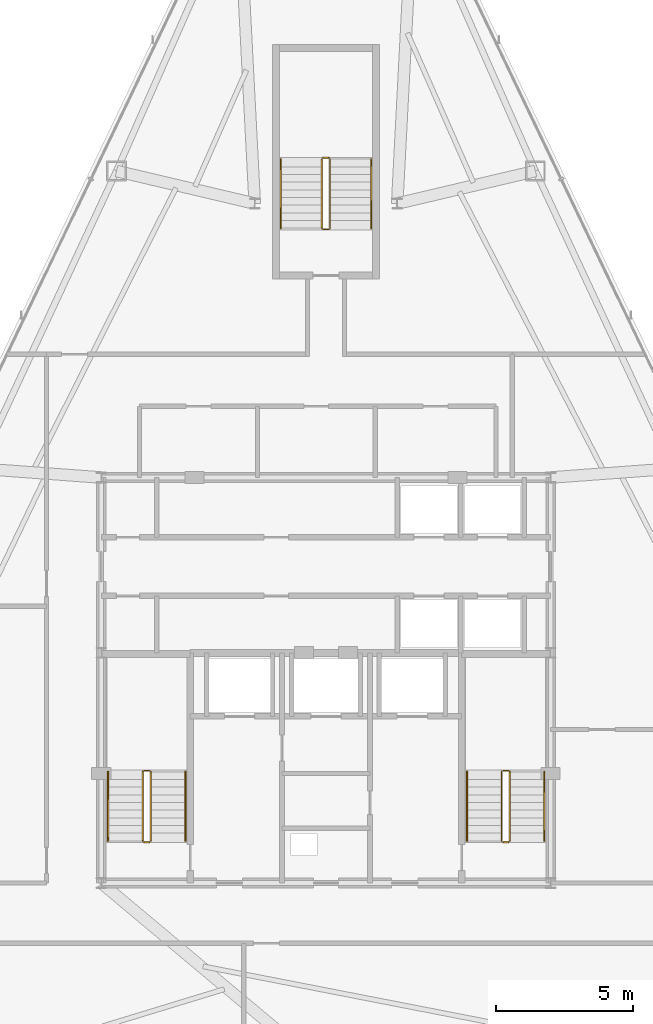
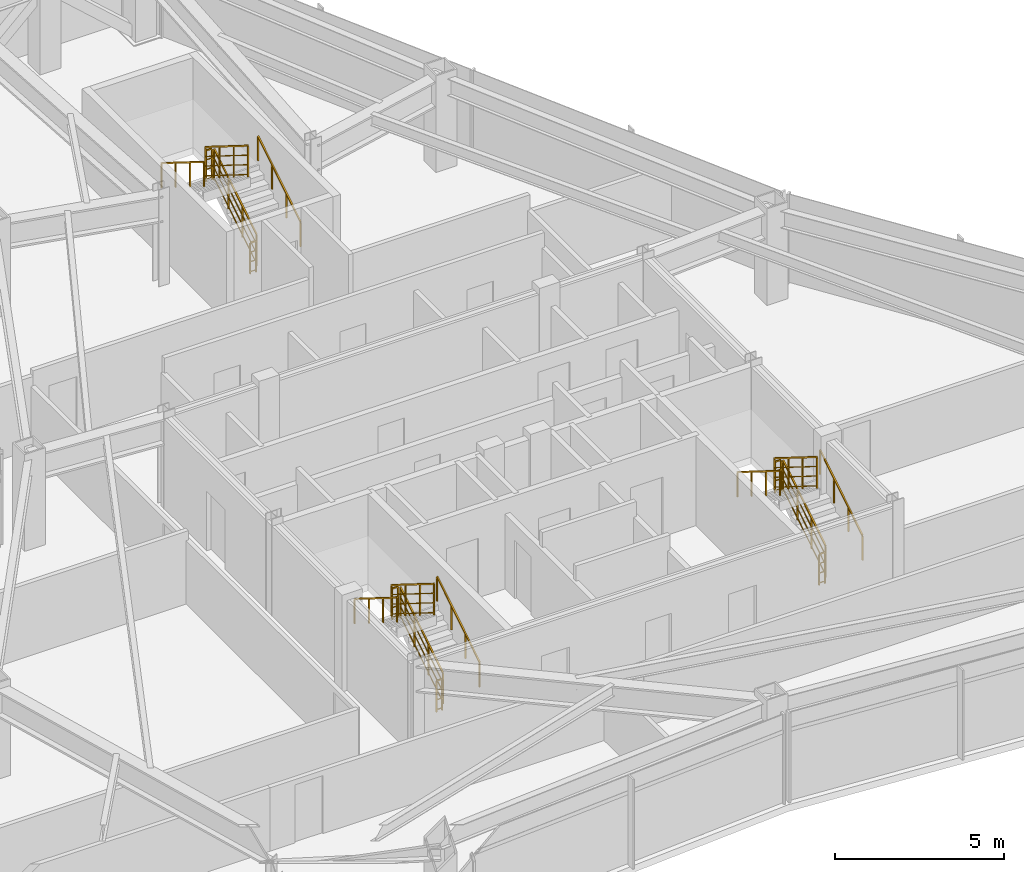
# One storey, part 12 of 12: 18 railings.
"""IFC4 building model written with IfcOpenShell, lengths in metres."""

from ifc_helpers import new_model, si_unit, direction, frame, origin, origin_2d, place, context, subcontext, project, spatial, rectangle, extrude, material, type_object, element, save


model = new_model("IFC4")

# Units and contexts
model_context = context("Model", 3, precision=1e-05, world=origin(), true_north=direction((0.0, 1.0)))
body_context = subcontext(model_context, "Body", "Model", "MODEL_VIEW")
ifc_project = project(units=[si_unit("LENGTHUNIT", "METRE"), si_unit("AREAUNIT", "SQUARE_METRE"), si_unit("VOLUMEUNIT", "CUBIC_METRE"), si_unit("PLANEANGLEUNIT", "RADIAN"), si_unit("MASSUNIT", "GRAM", prefix="KILO")], contexts=[model_context])

# Site, building, storey
site_placement = place(None, origin())
site = spatial("IfcSite", under=ifc_project, at=site_placement, CompositionType="ELEMENT")
building_placement = place(site_placement, origin())
building = spatial("IfcBuilding", under=site, at=building_placement, Name="Varakhsha Concourse Tower", CompositionType="ELEMENT")
storey_placement = place(building_placement, frame((0.0, 0.0, 218.89990234375)))
storey = spatial("IfcBuildingStorey", under=building, at=storey_placement, Name="L62", CompositionType="ELEMENT", Elevation=218.89990234375)

# Railings
ifc_material = material(Name="Brushed Austenitic Stainless Steel AISI 316", Category="steel")
railing_type_1 = type_object("IfcRailingType", Name="RL-STAIR-GUARD-1100", PredefinedType="GUARDRAIL", material=ifc_material)
railing_1_placement = place(storey_placement, frame((33.610107421875, 17.93994140625, 0.175048828125)))
element("IfcRailing", 1, at=railing_1_placement, inside=storey, type_object=railing_type_1, Name="L62 ST1 stair guard 1", PredefinedType="GUARDRAIL", context=body_context, shape_type="SweptSolid", body=[
    extrude(rectangle(XDim=0.048095703125, YDim=0.048095703125, at=origin_2d()), frame((0.0, 0.0, 1.1259765625), z_axis=(0.0, 0.848007534815, 0.529984170421), x_axis=(-1.0, 0.0, 0.0)), (0.0, 0.0, 1.0), 2.9716796875),
    extrude(rectangle(XDim=0.028076171875, YDim=0.028076171875, at=origin_2d()), frame((0.0, 0.0, 0.080078125), z_axis=(0.0, 0.848007534815, 0.529984170421), x_axis=(-1.0, 0.0, 0.0)), (0.0, 0.0, 1.0), 2.9716796875),
    extrude(rectangle(XDim=0.028076171875, YDim=0.028076171875, at=origin_2d()), frame((0.0, 0.0, 0.43701171875), z_axis=(0.0, 0.848007534815, 0.529984170421), x_axis=(-1.0, 0.0, 0.0)), (0.0, 0.0, 1.0), 2.9716796875),
    extrude(rectangle(XDim=0.028076171875, YDim=0.028076171875, at=origin_2d()), frame((0.0, 0.0, 0.781982421875), z_axis=(0.0, 0.848007534815, 0.529984170421), x_axis=(-1.0, 0.0, 0.0)), (0.0, 0.0, 1.0), 2.9716796875),
    extrude(rectangle(XDim=0.0419921875, YDim=0.0419921875, at=origin_2d()), origin(), (0.0, 0.0, 1.0), 1.101806640625),
    extrude(rectangle(XDim=0.0419921875, YDim=0.0419921875, at=origin_2d()), frame((0.0, 0.840087890625, 0.52490234375)), (0.0, 0.0, 1.0), 1.101806640625),
    extrude(rectangle(XDim=0.0419921875, YDim=0.0419921875, at=origin_2d()), frame((0.0, 1.679931640625, 1.050048828125)), (0.0, 0.0, 1.0), 1.101806640625),
    extrude(rectangle(XDim=0.0419921875, YDim=0.0419921875, at=origin_2d()), frame((0.0, 2.52001953125, 1.574951171875)), (0.0, 0.0, 1.0), 1.101806640625),
])
railing_2_placement = place(storey_placement, frame((33.56005859375, 20.510009765625, 1.75)))
element("IfcRailing", 2, at=railing_2_placement, inside=storey, type_object=railing_type_1, Name="L62 ST1 stair guard 2", PredefinedType="GUARDRAIL", context=body_context, shape_type="SweptSolid", body=[
    extrude(rectangle(XDim=0.048095703125, YDim=0.048095703125, at=origin_2d()), frame((0.0, 0.0, 1.1259765625), z_axis=(-1.0, 0.0, 0.0), x_axis=(0.0, -1.0, 0.0)), (0.0, 0.0, 1.0), 0.199951171875),
    extrude(rectangle(XDim=0.028076171875, YDim=0.028076171875, at=origin_2d()), frame((0.0, 0.0, 0.080078125), z_axis=(-1.0, 0.0, 0.0), x_axis=(0.0, -1.0, 0.0)), (0.0, 0.0, 1.0), 0.199951171875),
    extrude(rectangle(XDim=0.028076171875, YDim=0.028076171875, at=origin_2d()), frame((0.0, 0.0, 0.43701171875), z_axis=(-1.0, 0.0, 0.0), x_axis=(0.0, -1.0, 0.0)), (0.0, 0.0, 1.0), 0.199951171875),
    extrude(rectangle(XDim=0.028076171875, YDim=0.028076171875, at=origin_2d()), frame((0.0, 0.0, 0.781982421875), z_axis=(-1.0, 0.0, 0.0), x_axis=(0.0, -1.0, 0.0)), (0.0, 0.0, 1.0), 0.199951171875),
    extrude(rectangle(XDim=0.0419921875, YDim=0.0419921875, at=origin_2d()), origin(), (0.0, 0.0, 1.0), 1.101806640625),
    extrude(rectangle(XDim=0.0419921875, YDim=0.0419921875, at=origin_2d()), frame((-0.199951171875, 0.0, 0.0)), (0.0, 0.0, 1.0), 1.101806640625),
])
railing_3_placement = place(storey_placement, frame((33.31005859375, 20.4599609375, 1.925048828125)))
element("IfcRailing", 3, at=railing_3_placement, inside=storey, type_object=railing_type_1, Name="L62 ST1 stair guard 3", PredefinedType="GUARDRAIL", context=body_context, shape_type="SweptSolid", body=[
    extrude(rectangle(XDim=0.048095703125, YDim=0.048095703125, at=origin_2d()), frame((0.0, 0.0, 1.1259765625), z_axis=(0.0, -0.848007534815, 0.529984170421), x_axis=(1.0, 0.0, 0.0)), (0.0, 0.0, 1.0), 2.9716796875),
    extrude(rectangle(XDim=0.028076171875, YDim=0.028076171875, at=origin_2d()), frame((0.0, 0.0, 0.080078125), z_axis=(0.0, -0.848007534815, 0.529984170421), x_axis=(1.0, 0.0, 0.0)), (0.0, 0.0, 1.0), 2.9716796875),
    extrude(rectangle(XDim=0.028076171875, YDim=0.028076171875, at=origin_2d()), frame((0.0, 0.0, 0.43701171875), z_axis=(0.0, -0.848007534815, 0.529984170421), x_axis=(1.0, 0.0, 0.0)), (0.0, 0.0, 1.0), 2.9716796875),
    extrude(rectangle(XDim=0.028076171875, YDim=0.028076171875, at=origin_2d()), frame((0.0, 0.0, 0.781982421875), z_axis=(0.0, -0.848007534815, 0.529984170421), x_axis=(1.0, 0.0, 0.0)), (0.0, 0.0, 1.0), 2.9716796875),
    extrude(rectangle(XDim=0.0419921875, YDim=0.0419921875, at=origin_2d()), origin(), (0.0, 0.0, 1.0), 1.101806640625),
    extrude(rectangle(XDim=0.0419921875, YDim=0.0419921875, at=origin_2d()), frame((0.0, -0.840087890625, 0.52490234375)), (0.0, 0.0, 1.0), 1.101806640625),
    extrude(rectangle(XDim=0.0419921875, YDim=0.0419921875, at=origin_2d()), frame((0.0, -1.679931640625, 1.050048828125)), (0.0, 0.0, 1.0), 1.101806640625),
    extrude(rectangle(XDim=0.0419921875, YDim=0.0419921875, at=origin_2d()), frame((0.0, -2.52001953125, 1.574951171875)), (0.0, 0.0, 1.0), 1.101806640625),
])
railing_4_placement = place(storey_placement, frame((33.56005859375, 17.889892578125, 0.0)))
element("IfcRailing", 4, at=railing_4_placement, inside=storey, type_object=railing_type_1, Name="L62 ST1 stair guard 4", PredefinedType="GUARDRAIL", context=body_context, shape_type="SweptSolid", body=[
    extrude(rectangle(XDim=0.048095703125, YDim=0.048095703125, at=origin_2d()), frame((0.0, 0.0, 1.1259765625), z_axis=(-1.0, 0.0, 0.0), x_axis=(0.0, -1.0, 0.0)), (0.0, 0.0, 1.0), 0.199951171875),
    extrude(rectangle(XDim=0.028076171875, YDim=0.028076171875, at=origin_2d()), frame((0.0, 0.0, 0.080078125), z_axis=(-1.0, 0.0, 0.0), x_axis=(0.0, -1.0, 0.0)), (0.0, 0.0, 1.0), 0.199951171875),
    extrude(rectangle(XDim=0.028076171875, YDim=0.028076171875, at=origin_2d()), frame((0.0, 0.0, 0.43701171875), z_axis=(-1.0, 0.0, 0.0), x_axis=(0.0, -1.0, 0.0)), (0.0, 0.0, 1.0), 0.199951171875),
    extrude(rectangle(XDim=0.028076171875, YDim=0.028076171875, at=origin_2d()), frame((0.0, 0.0, 0.781982421875), z_axis=(-1.0, 0.0, 0.0), x_axis=(0.0, -1.0, 0.0)), (0.0, 0.0, 1.0), 0.199951171875),
    extrude(rectangle(XDim=0.0419921875, YDim=0.0419921875, at=origin_2d()), origin(), (0.0, 0.0, 1.0), 1.101806640625),
    extrude(rectangle(XDim=0.0419921875, YDim=0.0419921875, at=origin_2d()), frame((-0.199951171875, 0.0, 0.0)), (0.0, 0.0, 1.0), 1.101806640625),
])
railing_5_placement = place(storey_placement, frame((46.7099609375, 17.93994140625, 0.175048828125)))
element("IfcRailing", 5, at=railing_5_placement, inside=storey, type_object=railing_type_1, Name="L62 ST2 stair guard 1", PredefinedType="GUARDRAIL", context=body_context, shape_type="SweptSolid", body=[
    extrude(rectangle(XDim=0.048095703125, YDim=0.048095703125, at=origin_2d()), frame((0.0, 0.0, 1.1259765625), z_axis=(0.0, 0.848007534815, 0.529984170421), x_axis=(-1.0, 0.0, 0.0)), (0.0, 0.0, 1.0), 2.9716796875),
    extrude(rectangle(XDim=0.028076171875, YDim=0.028076171875, at=origin_2d()), frame((0.0, 0.0, 0.080078125), z_axis=(0.0, 0.848007534815, 0.529984170421), x_axis=(-1.0, 0.0, 0.0)), (0.0, 0.0, 1.0), 2.9716796875),
    extrude(rectangle(XDim=0.028076171875, YDim=0.028076171875, at=origin_2d()), frame((0.0, 0.0, 0.43701171875), z_axis=(0.0, 0.848007534815, 0.529984170421), x_axis=(-1.0, 0.0, 0.0)), (0.0, 0.0, 1.0), 2.9716796875),
    extrude(rectangle(XDim=0.028076171875, YDim=0.028076171875, at=origin_2d()), frame((0.0, 0.0, 0.781982421875), z_axis=(0.0, 0.848007534815, 0.529984170421), x_axis=(-1.0, 0.0, 0.0)), (0.0, 0.0, 1.0), 2.9716796875),
    extrude(rectangle(XDim=0.0419921875, YDim=0.0419921875, at=origin_2d()), origin(), (0.0, 0.0, 1.0), 1.101806640625),
    extrude(rectangle(XDim=0.0419921875, YDim=0.0419921875, at=origin_2d()), frame((0.0, 0.840087890625, 0.52490234375)), (0.0, 0.0, 1.0), 1.101806640625),
    extrude(rectangle(XDim=0.0419921875, YDim=0.0419921875, at=origin_2d()), frame((0.0, 1.679931640625, 1.050048828125)), (0.0, 0.0, 1.0), 1.101806640625),
    extrude(rectangle(XDim=0.0419921875, YDim=0.0419921875, at=origin_2d()), frame((0.0, 2.52001953125, 1.574951171875)), (0.0, 0.0, 1.0), 1.101806640625),
])
railing_6_placement = place(storey_placement, frame((46.659912109375, 20.510009765625, 1.75)))
element("IfcRailing", 6, at=railing_6_placement, inside=storey, type_object=railing_type_1, Name="L62 ST2 stair guard 2", PredefinedType="GUARDRAIL", context=body_context, shape_type="SweptSolid", body=[
    extrude(rectangle(XDim=0.048095703125, YDim=0.048095703125, at=origin_2d()), frame((0.0, 0.0, 1.1259765625), z_axis=(-1.0, 0.0, 0.0), x_axis=(0.0, -1.0, 0.0)), (0.0, 0.0, 1.0), 0.199951171875),
    extrude(rectangle(XDim=0.028076171875, YDim=0.028076171875, at=origin_2d()), frame((0.0, 0.0, 0.080078125), z_axis=(-1.0, 0.0, 0.0), x_axis=(0.0, -1.0, 0.0)), (0.0, 0.0, 1.0), 0.199951171875),
    extrude(rectangle(XDim=0.028076171875, YDim=0.028076171875, at=origin_2d()), frame((0.0, 0.0, 0.43701171875), z_axis=(-1.0, 0.0, 0.0), x_axis=(0.0, -1.0, 0.0)), (0.0, 0.0, 1.0), 0.199951171875),
    extrude(rectangle(XDim=0.028076171875, YDim=0.028076171875, at=origin_2d()), frame((0.0, 0.0, 0.781982421875), z_axis=(-1.0, 0.0, 0.0), x_axis=(0.0, -1.0, 0.0)), (0.0, 0.0, 1.0), 0.199951171875),
    extrude(rectangle(XDim=0.0419921875, YDim=0.0419921875, at=origin_2d()), origin(), (0.0, 0.0, 1.0), 1.101806640625),
    extrude(rectangle(XDim=0.0419921875, YDim=0.0419921875, at=origin_2d()), frame((-0.199951171875, 0.0, 0.0)), (0.0, 0.0, 1.0), 1.101806640625),
])
railing_7_placement = place(storey_placement, frame((46.409912109375, 20.4599609375, 1.925048828125)))
element("IfcRailing", 7, at=railing_7_placement, inside=storey, type_object=railing_type_1, Name="L62 ST2 stair guard 3", PredefinedType="GUARDRAIL", context=body_context, shape_type="SweptSolid", body=[
    extrude(rectangle(XDim=0.048095703125, YDim=0.048095703125, at=origin_2d()), frame((0.0, 0.0, 1.1259765625), z_axis=(0.0, -0.848007534815, 0.529984170421), x_axis=(1.0, 0.0, 0.0)), (0.0, 0.0, 1.0), 2.9716796875),
    extrude(rectangle(XDim=0.028076171875, YDim=0.028076171875, at=origin_2d()), frame((0.0, 0.0, 0.080078125), z_axis=(0.0, -0.848007534815, 0.529984170421), x_axis=(1.0, 0.0, 0.0)), (0.0, 0.0, 1.0), 2.9716796875),
    extrude(rectangle(XDim=0.028076171875, YDim=0.028076171875, at=origin_2d()), frame((0.0, 0.0, 0.43701171875), z_axis=(0.0, -0.848007534815, 0.529984170421), x_axis=(1.0, 0.0, 0.0)), (0.0, 0.0, 1.0), 2.9716796875),
    extrude(rectangle(XDim=0.028076171875, YDim=0.028076171875, at=origin_2d()), frame((0.0, 0.0, 0.781982421875), z_axis=(0.0, -0.848007534815, 0.529984170421), x_axis=(1.0, 0.0, 0.0)), (0.0, 0.0, 1.0), 2.9716796875),
    extrude(rectangle(XDim=0.0419921875, YDim=0.0419921875, at=origin_2d()), origin(), (0.0, 0.0, 1.0), 1.101806640625),
    extrude(rectangle(XDim=0.0419921875, YDim=0.0419921875, at=origin_2d()), frame((0.0, -0.840087890625, 0.52490234375)), (0.0, 0.0, 1.0), 1.101806640625),
    extrude(rectangle(XDim=0.0419921875, YDim=0.0419921875, at=origin_2d()), frame((0.0, -1.679931640625, 1.050048828125)), (0.0, 0.0, 1.0), 1.101806640625),
    extrude(rectangle(XDim=0.0419921875, YDim=0.0419921875, at=origin_2d()), frame((0.0, -2.52001953125, 1.574951171875)), (0.0, 0.0, 1.0), 1.101806640625),
])
railing_8_placement = place(storey_placement, frame((46.659912109375, 17.889892578125, 0.0)))
element("IfcRailing", 8, at=railing_8_placement, inside=storey, type_object=railing_type_1, Name="L62 ST2 stair guard 4", PredefinedType="GUARDRAIL", context=body_context, shape_type="SweptSolid", body=[
    extrude(rectangle(XDim=0.048095703125, YDim=0.048095703125, at=origin_2d()), frame((0.0, 0.0, 1.1259765625), z_axis=(-1.0, 0.0, 0.0), x_axis=(0.0, -1.0, 0.0)), (0.0, 0.0, 1.0), 0.199951171875),
    extrude(rectangle(XDim=0.028076171875, YDim=0.028076171875, at=origin_2d()), frame((0.0, 0.0, 0.080078125), z_axis=(-1.0, 0.0, 0.0), x_axis=(0.0, -1.0, 0.0)), (0.0, 0.0, 1.0), 0.199951171875),
    extrude(rectangle(XDim=0.028076171875, YDim=0.028076171875, at=origin_2d()), frame((0.0, 0.0, 0.43701171875), z_axis=(-1.0, 0.0, 0.0), x_axis=(0.0, -1.0, 0.0)), (0.0, 0.0, 1.0), 0.199951171875),
    extrude(rectangle(XDim=0.028076171875, YDim=0.028076171875, at=origin_2d()), frame((0.0, 0.0, 0.781982421875), z_axis=(-1.0, 0.0, 0.0), x_axis=(0.0, -1.0, 0.0)), (0.0, 0.0, 1.0), 0.199951171875),
    extrude(rectangle(XDim=0.0419921875, YDim=0.0419921875, at=origin_2d()), origin(), (0.0, 0.0, 1.0), 1.101806640625),
    extrude(rectangle(XDim=0.0419921875, YDim=0.0419921875, at=origin_2d()), frame((-0.199951171875, 0.0, 0.0)), (0.0, 0.0, 1.0), 1.101806640625),
])
railing_9_placement = place(storey_placement, frame((40.14990234375, 40.300048828125, 0.175048828125)))
element("IfcRailing", 9, at=railing_9_placement, inside=storey, type_object=railing_type_1, Name="L62 ST5 stair guard 1", PredefinedType="GUARDRAIL", context=body_context, shape_type="SweptSolid", body=[
    extrude(rectangle(XDim=0.048095703125, YDim=0.048095703125, at=origin_2d()), frame((0.0, 0.0, 1.1259765625), z_axis=(0.0, 0.848007534815, 0.529984170421), x_axis=(-1.0, 0.0, 0.0)), (0.0, 0.0, 1.0), 2.9716796875),
    extrude(rectangle(XDim=0.028076171875, YDim=0.028076171875, at=origin_2d()), frame((0.0, 0.0, 0.080078125), z_axis=(0.0, 0.848007534815, 0.529984170421), x_axis=(-1.0, 0.0, 0.0)), (0.0, 0.0, 1.0), 2.9716796875),
    extrude(rectangle(XDim=0.028076171875, YDim=0.028076171875, at=origin_2d()), frame((0.0, 0.0, 0.43701171875), z_axis=(0.0, 0.848007534815, 0.529984170421), x_axis=(-1.0, 0.0, 0.0)), (0.0, 0.0, 1.0), 2.9716796875),
    extrude(rectangle(XDim=0.028076171875, YDim=0.028076171875, at=origin_2d()), frame((0.0, 0.0, 0.781982421875), z_axis=(0.0, 0.848007534815, 0.529984170421), x_axis=(-1.0, 0.0, 0.0)), (0.0, 0.0, 1.0), 2.9716796875),
    extrude(rectangle(XDim=0.0419921875, YDim=0.0419921875, at=origin_2d()), origin(), (0.0, 0.0, 1.0), 1.101806640625),
    extrude(rectangle(XDim=0.0419921875, YDim=0.0419921875, at=origin_2d()), frame((0.0, 0.840087890625, 0.52490234375)), (0.0, 0.0, 1.0), 1.101806640625),
    extrude(rectangle(XDim=0.0419921875, YDim=0.0419921875, at=origin_2d()), frame((0.0, 1.679931640625, 1.050048828125)), (0.0, 0.0, 1.0), 1.101806640625),
    extrude(rectangle(XDim=0.0419921875, YDim=0.0419921875, at=origin_2d()), frame((0.0, 2.52001953125, 1.574951171875)), (0.0, 0.0, 1.0), 1.101806640625),
])
railing_10_placement = place(storey_placement, frame((40.10009765625, 42.8701171875, 1.75)))
element("IfcRailing", 10, at=railing_10_placement, inside=storey, type_object=railing_type_1, Name="L62 ST5 stair guard 2", PredefinedType="GUARDRAIL", context=body_context, shape_type="SweptSolid", body=[
    extrude(rectangle(XDim=0.048095703125, YDim=0.048095703125, at=origin_2d()), frame((0.0, 0.0, 1.1259765625), z_axis=(-1.0, 0.0, 0.0), x_axis=(0.0, -1.0, 0.0)), (0.0, 0.0, 1.0), 0.2001953125),
    extrude(rectangle(XDim=0.028076171875, YDim=0.028076171875, at=origin_2d()), frame((0.0, 0.0, 0.080078125), z_axis=(-1.0, 0.0, 0.0), x_axis=(0.0, -1.0, 0.0)), (0.0, 0.0, 1.0), 0.2001953125),
    extrude(rectangle(XDim=0.028076171875, YDim=0.028076171875, at=origin_2d()), frame((0.0, 0.0, 0.43701171875), z_axis=(-1.0, 0.0, 0.0), x_axis=(0.0, -1.0, 0.0)), (0.0, 0.0, 1.0), 0.2001953125),
    extrude(rectangle(XDim=0.028076171875, YDim=0.028076171875, at=origin_2d()), frame((0.0, 0.0, 0.781982421875), z_axis=(-1.0, 0.0, 0.0), x_axis=(0.0, -1.0, 0.0)), (0.0, 0.0, 1.0), 0.2001953125),
    extrude(rectangle(XDim=0.0419921875, YDim=0.0419921875, at=origin_2d()), origin(), (0.0, 0.0, 1.0), 1.101806640625),
    extrude(rectangle(XDim=0.0419921875, YDim=0.0419921875, at=origin_2d()), frame((-0.2001953125, 0.0, 0.0)), (0.0, 0.0, 1.0), 1.101806640625),
])
railing_11_placement = place(storey_placement, frame((39.85009765625, 42.820068359375, 1.925048828125)))
element("IfcRailing", 11, at=railing_11_placement, inside=storey, type_object=railing_type_1, Name="L62 ST5 stair guard 3", PredefinedType="GUARDRAIL", context=body_context, shape_type="SweptSolid", body=[
    extrude(rectangle(XDim=0.048095703125, YDim=0.048095703125, at=origin_2d()), frame((0.0, 0.0, 1.1259765625), z_axis=(0.0, -0.848007534815, 0.529984170421), x_axis=(1.0, 0.0, 0.0)), (0.0, 0.0, 1.0), 2.9716796875),
    extrude(rectangle(XDim=0.028076171875, YDim=0.028076171875, at=origin_2d()), frame((0.0, 0.0, 0.080078125), z_axis=(0.0, -0.848007534815, 0.529984170421), x_axis=(1.0, 0.0, 0.0)), (0.0, 0.0, 1.0), 2.9716796875),
    extrude(rectangle(XDim=0.028076171875, YDim=0.028076171875, at=origin_2d()), frame((0.0, 0.0, 0.43701171875), z_axis=(0.0, -0.848007534815, 0.529984170421), x_axis=(1.0, 0.0, 0.0)), (0.0, 0.0, 1.0), 2.9716796875),
    extrude(rectangle(XDim=0.028076171875, YDim=0.028076171875, at=origin_2d()), frame((0.0, 0.0, 0.781982421875), z_axis=(0.0, -0.848007534815, 0.529984170421), x_axis=(1.0, 0.0, 0.0)), (0.0, 0.0, 1.0), 2.9716796875),
    extrude(rectangle(XDim=0.0419921875, YDim=0.0419921875, at=origin_2d()), origin(), (0.0, 0.0, 1.0), 1.101806640625),
    extrude(rectangle(XDim=0.0419921875, YDim=0.0419921875, at=origin_2d()), frame((0.0, -0.840087890625, 0.52490234375)), (0.0, 0.0, 1.0), 1.101806640625),
    extrude(rectangle(XDim=0.0419921875, YDim=0.0419921875, at=origin_2d()), frame((0.0, -1.679931640625, 1.050048828125)), (0.0, 0.0, 1.0), 1.101806640625),
    extrude(rectangle(XDim=0.0419921875, YDim=0.0419921875, at=origin_2d()), frame((0.0, -2.52001953125, 1.574951171875)), (0.0, 0.0, 1.0), 1.101806640625),
])
railing_12_placement = place(storey_placement, frame((40.10009765625, 40.25, 0.0)))
element("IfcRailing", 12, at=railing_12_placement, inside=storey, type_object=railing_type_1, Name="L62 ST5 stair guard 4", PredefinedType="GUARDRAIL", context=body_context, shape_type="SweptSolid", body=[
    extrude(rectangle(XDim=0.048095703125, YDim=0.048095703125, at=origin_2d()), frame((0.0, 0.0, 1.1259765625), z_axis=(-1.0, 0.0, 0.0), x_axis=(0.0, -1.0, 0.0)), (0.0, 0.0, 1.0), 0.2001953125),
    extrude(rectangle(XDim=0.028076171875, YDim=0.028076171875, at=origin_2d()), frame((0.0, 0.0, 0.080078125), z_axis=(-1.0, 0.0, 0.0), x_axis=(0.0, -1.0, 0.0)), (0.0, 0.0, 1.0), 0.2001953125),
    extrude(rectangle(XDim=0.028076171875, YDim=0.028076171875, at=origin_2d()), frame((0.0, 0.0, 0.43701171875), z_axis=(-1.0, 0.0, 0.0), x_axis=(0.0, -1.0, 0.0)), (0.0, 0.0, 1.0), 0.2001953125),
    extrude(rectangle(XDim=0.028076171875, YDim=0.028076171875, at=origin_2d()), frame((0.0, 0.0, 0.781982421875), z_axis=(-1.0, 0.0, 0.0), x_axis=(0.0, -1.0, 0.0)), (0.0, 0.0, 1.0), 0.2001953125),
    extrude(rectangle(XDim=0.0419921875, YDim=0.0419921875, at=origin_2d()), origin(), (0.0, 0.0, 1.0), 1.101806640625),
    extrude(rectangle(XDim=0.0419921875, YDim=0.0419921875, at=origin_2d()), frame((-0.2001953125, 0.0, 0.0)), (0.0, 0.0, 1.0), 1.101806640625),
])
railing_type_2 = type_object("IfcRailingType", Name="RL-STAIR-RAIL-915", PredefinedType="HANDRAIL", material=ifc_material)
railing_13_placement = place(storey_placement, frame((34.8701171875, 17.93994140625, 0.35009765625)))
element("IfcRailing", 13, at=railing_13_placement, inside=storey, type_object=railing_type_2, Name="L62 ST1 stair handrail 1", PredefinedType="HANDRAIL", context=body_context, shape_type="SweptSolid", body=[
    extrude(rectangle(XDim=0.048095703125, YDim=0.048095703125, at=origin_2d()), frame((0.0, 0.0, 0.89111328125), z_axis=(0.0, 0.848007534815, 0.529984170421), x_axis=(-1.0, 0.0, 0.0)), (0.0, 0.0, 1.0), 2.9716796875),
    extrude(rectangle(XDim=0.0419921875, YDim=0.0419921875, at=origin_2d()), origin(), (0.0, 0.0, 1.0), 0.866943359375),
    extrude(rectangle(XDim=0.0419921875, YDim=0.0419921875, at=origin_2d()), frame((0.0, 0.840087890625, 0.52490234375)), (0.0, 0.0, 1.0), 0.866943359375),
    extrude(rectangle(XDim=0.0419921875, YDim=0.0419921875, at=origin_2d()), frame((0.0, 1.679931640625, 1.050048828125)), (0.0, 0.0, 1.0), 0.866943359375),
    extrude(rectangle(XDim=0.0419921875, YDim=0.0419921875, at=origin_2d()), frame((0.0, 2.52001953125, 1.574951171875)), (0.0, 0.0, 1.0), 0.866943359375),
])
railing_14_placement = place(storey_placement, frame((32.050048828125, 20.4599609375, 2.10009765625)))
element("IfcRailing", 14, at=railing_14_placement, inside=storey, type_object=railing_type_2, Name="L62 ST1 stair handrail 2", PredefinedType="HANDRAIL", context=body_context, shape_type="SweptSolid", body=[
    extrude(rectangle(XDim=0.048095703125, YDim=0.048095703125, at=origin_2d()), frame((0.0, 0.0, 0.89111328125), z_axis=(0.0, -0.848007534815, 0.529984170421), x_axis=(1.0, 0.0, 0.0)), (0.0, 0.0, 1.0), 2.9716796875),
    extrude(rectangle(XDim=0.0419921875, YDim=0.0419921875, at=origin_2d()), origin(), (0.0, 0.0, 1.0), 0.866943359375),
    extrude(rectangle(XDim=0.0419921875, YDim=0.0419921875, at=origin_2d()), frame((0.0, -0.840087890625, 0.52490234375)), (0.0, 0.0, 1.0), 0.866943359375),
    extrude(rectangle(XDim=0.0419921875, YDim=0.0419921875, at=origin_2d()), frame((0.0, -1.679931640625, 1.050048828125)), (0.0, 0.0, 1.0), 0.866943359375),
    extrude(rectangle(XDim=0.0419921875, YDim=0.0419921875, at=origin_2d()), frame((0.0, -2.52001953125, 1.574951171875)), (0.0, 0.0, 1.0), 0.866943359375),
])
railing_15_placement = place(storey_placement, frame((47.969970703125, 17.93994140625, 0.35009765625)))
element("IfcRailing", 15, at=railing_15_placement, inside=storey, type_object=railing_type_2, Name="L62 ST2 stair handrail 1", PredefinedType="HANDRAIL", context=body_context, shape_type="SweptSolid", body=[
    extrude(rectangle(XDim=0.048095703125, YDim=0.048095703125, at=origin_2d()), frame((0.0, 0.0, 0.89111328125), z_axis=(0.0, 0.848007534815, 0.529984170421), x_axis=(-1.0, 0.0, 0.0)), (0.0, 0.0, 1.0), 2.9716796875),
    extrude(rectangle(XDim=0.0419921875, YDim=0.0419921875, at=origin_2d()), origin(), (0.0, 0.0, 1.0), 0.866943359375),
    extrude(rectangle(XDim=0.0419921875, YDim=0.0419921875, at=origin_2d()), frame((0.0, 0.840087890625, 0.52490234375)), (0.0, 0.0, 1.0), 0.866943359375),
    extrude(rectangle(XDim=0.0419921875, YDim=0.0419921875, at=origin_2d()), frame((0.0, 1.679931640625, 1.050048828125)), (0.0, 0.0, 1.0), 0.866943359375),
    extrude(rectangle(XDim=0.0419921875, YDim=0.0419921875, at=origin_2d()), frame((0.0, 2.52001953125, 1.574951171875)), (0.0, 0.0, 1.0), 0.866943359375),
])
railing_16_placement = place(storey_placement, frame((45.14990234375, 20.4599609375, 2.10009765625)))
element("IfcRailing", 16, at=railing_16_placement, inside=storey, type_object=railing_type_2, Name="L62 ST2 stair handrail 2", PredefinedType="HANDRAIL", context=body_context, shape_type="SweptSolid", body=[
    extrude(rectangle(XDim=0.048095703125, YDim=0.048095703125, at=origin_2d()), frame((0.0, 0.0, 0.89111328125), z_axis=(0.0, -0.848007534815, 0.529984170421), x_axis=(1.0, 0.0, 0.0)), (0.0, 0.0, 1.0), 2.9716796875),
    extrude(rectangle(XDim=0.0419921875, YDim=0.0419921875, at=origin_2d()), origin(), (0.0, 0.0, 1.0), 0.866943359375),
    extrude(rectangle(XDim=0.0419921875, YDim=0.0419921875, at=origin_2d()), frame((0.0, -0.840087890625, 0.52490234375)), (0.0, 0.0, 1.0), 0.866943359375),
    extrude(rectangle(XDim=0.0419921875, YDim=0.0419921875, at=origin_2d()), frame((0.0, -1.679931640625, 1.050048828125)), (0.0, 0.0, 1.0), 0.866943359375),
    extrude(rectangle(XDim=0.0419921875, YDim=0.0419921875, at=origin_2d()), frame((0.0, -2.52001953125, 1.574951171875)), (0.0, 0.0, 1.0), 0.866943359375),
])
railing_17_placement = place(storey_placement, frame((41.64990234375, 40.300048828125, 0.35009765625)))
element("IfcRailing", 17, at=railing_17_placement, inside=storey, type_object=railing_type_2, Name="L62 ST5 stair handrail 1", PredefinedType="HANDRAIL", context=body_context, shape_type="SweptSolid", body=[
    extrude(rectangle(XDim=0.048095703125, YDim=0.048095703125, at=origin_2d()), frame((0.0, 0.0, 0.89111328125), z_axis=(0.0, 0.848007534815, 0.529984170421), x_axis=(-1.0, 0.0, 0.0)), (0.0, 0.0, 1.0), 2.9716796875),
    extrude(rectangle(XDim=0.0419921875, YDim=0.0419921875, at=origin_2d()), origin(), (0.0, 0.0, 1.0), 0.866943359375),
    extrude(rectangle(XDim=0.0419921875, YDim=0.0419921875, at=origin_2d()), frame((0.0, 0.840087890625, 0.52490234375)), (0.0, 0.0, 1.0), 0.866943359375),
    extrude(rectangle(XDim=0.0419921875, YDim=0.0419921875, at=origin_2d()), frame((0.0, 1.679931640625, 1.050048828125)), (0.0, 0.0, 1.0), 0.866943359375),
    extrude(rectangle(XDim=0.0419921875, YDim=0.0419921875, at=origin_2d()), frame((0.0, 2.52001953125, 1.574951171875)), (0.0, 0.0, 1.0), 0.866943359375),
])
railing_18_placement = place(storey_placement, frame((38.35009765625, 42.820068359375, 2.10009765625)))
element("IfcRailing", 18, at=railing_18_placement, inside=storey, type_object=railing_type_2, Name="L62 ST5 stair handrail 2", PredefinedType="HANDRAIL", context=body_context, shape_type="SweptSolid", body=[
    extrude(rectangle(XDim=0.048095703125, YDim=0.048095703125, at=origin_2d()), frame((0.0, 0.0, 0.89111328125), z_axis=(0.0, -0.848007534815, 0.529984170421), x_axis=(1.0, 0.0, 0.0)), (0.0, 0.0, 1.0), 2.9716796875),
    extrude(rectangle(XDim=0.0419921875, YDim=0.0419921875, at=origin_2d()), origin(), (0.0, 0.0, 1.0), 0.866943359375),
    extrude(rectangle(XDim=0.0419921875, YDim=0.0419921875, at=origin_2d()), frame((0.0, -0.840087890625, 0.52490234375)), (0.0, 0.0, 1.0), 0.866943359375),
    extrude(rectangle(XDim=0.0419921875, YDim=0.0419921875, at=origin_2d()), frame((0.0, -1.679931640625, 1.050048828125)), (0.0, 0.0, 1.0), 0.866943359375),
    extrude(rectangle(XDim=0.0419921875, YDim=0.0419921875, at=origin_2d()), frame((0.0, -2.52001953125, 1.574951171875)), (0.0, 0.0, 1.0), 0.866943359375),
])

save(model, "model.ifc")
